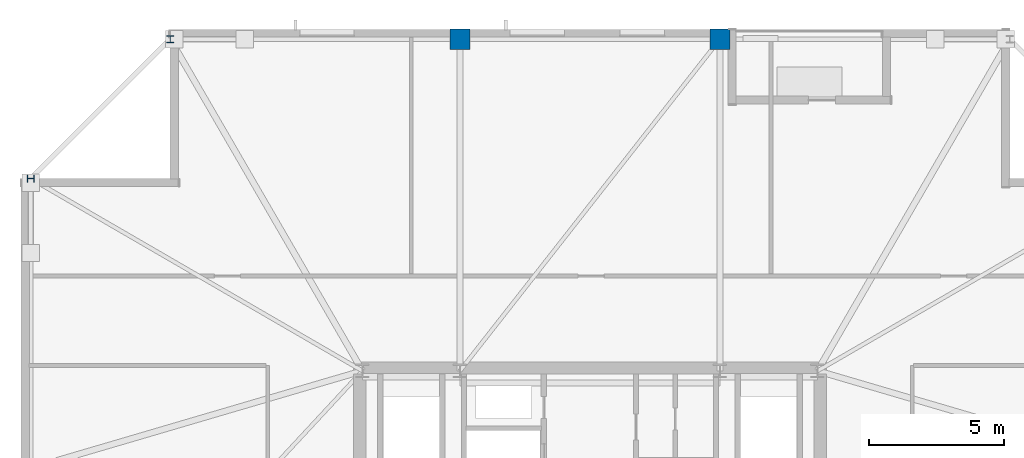
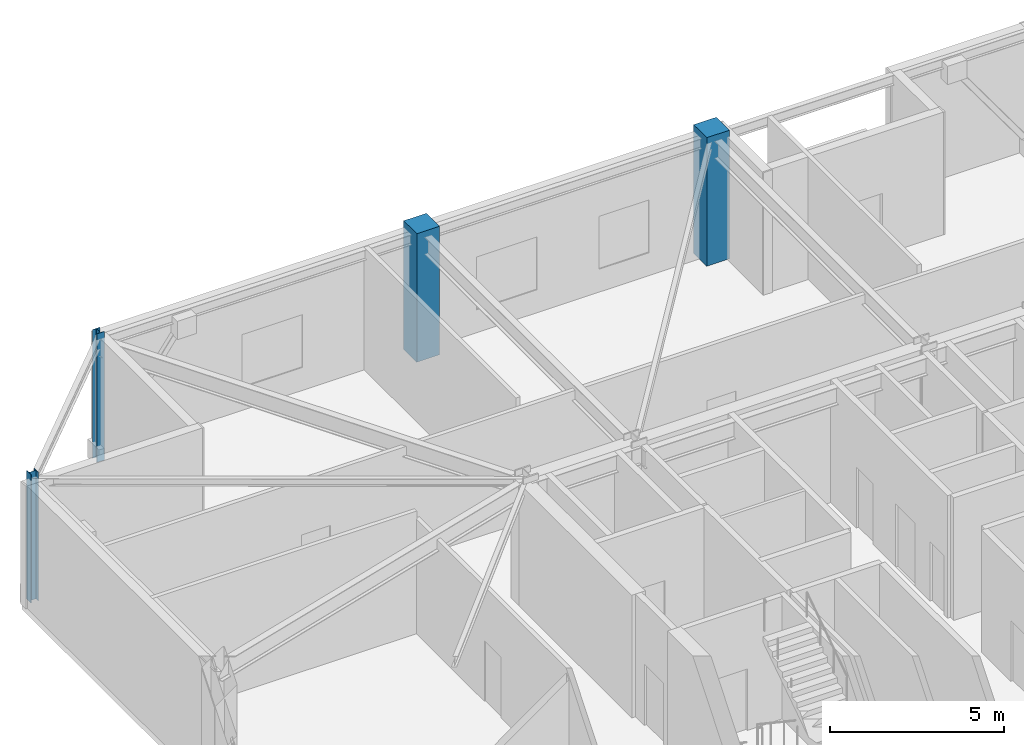
# One storey, part 4 of 16: 4 columns.
"""IFC4 building model written with IfcOpenShell, lengths in metres."""

from ifc_helpers import new_model, si_unit, direction, frame, origin, origin_2d, place, context, subcontext, project, spatial, rectangle, i_section, extrude, material, material_profile, profile_set, type_object, element, save


model = new_model("IFC4")

# Units and contexts
model_context = context("Model", 3, precision=1e-05, world=origin(), true_north=direction((0.0, 1.0)))
body_context = subcontext(model_context, "Body", "Model", "MODEL_VIEW")
ifc_project = project(units=[si_unit("LENGTHUNIT", "METRE"), si_unit("AREAUNIT", "SQUARE_METRE"), si_unit("VOLUMEUNIT", "CUBIC_METRE"), si_unit("PLANEANGLEUNIT", "RADIAN"), si_unit("MASSUNIT", "GRAM", prefix="KILO")], contexts=[model_context])

# Site, building, storey
site_placement = place(None, origin())
site = spatial("IfcSite", under=ifc_project, at=site_placement, CompositionType="ELEMENT")
building_placement = place(site_placement, origin())
building = spatial("IfcBuilding", under=site, at=building_placement, Name="Cairnveth Concourse Tower", CompositionType="ELEMENT")
storey_placement = place(building_placement, frame((0.0, 0.0, 315.5)))
storey = spatial("IfcBuildingStorey", under=building, at=storey_placement, Name="L87", CompositionType="ELEMENT", Elevation=315.5)

# Columns
ifc_material_1 = material(Name="Concrete N50 (50 MPa)", Category="concrete")
ifc_material_profile_1 = material_profile(ifc_material_1, rectangle(XDim=0.75, YDim=0.75, at=origin_2d()), Name="RC-COL-750x750")
ifc_profile_set_1 = profile_set([ifc_material_profile_1], Name="Concrete N50 (50 MPa)")
column_type_1 = type_object("IfcColumnType", Name="PERIMETER PIER COLUMN 750X750", PredefinedType="COLUMN", material=ifc_profile_set_1)
for number, where, z_axis, x_axis, name in (
    (1, (56.800048828125, 59.64990234375, 0.0), (0.0, 0.0, 1.0), (1.0, 0.0, 0.0), "Column P-N2 L87"),
    (2, (47.199951171875, 59.64990234375, 0.0), (0.0, 0.0, 1.0), (1.0, 0.0, 0.0), "Column P-N3 L87"),
):
    element("IfcColumn", number, at=place(storey_placement, frame(where, z_axis=z_axis, x_axis=x_axis)), inside=storey, type_object=column_type_1, Name=name, PredefinedType="COLUMN", context=body_context, shape_type="SweptSolid", body=[
        extrude(rectangle(XDim=0.75, YDim=0.75, at=origin_2d()), origin(), (0.0, 0.0, 1.0), 4.5),
    ])
ifc_material_2 = material(Name="Steel Grade 350", Category="steel")
ifc_material_profile_2 = material_profile(ifc_material_2, i_section(OverallWidth=0.25390625, OverallDepth=0.25390625, WebThickness=0.008544921875, FlangeThickness=0.01416015625, FilletRadius=0.012939453125, at=origin_2d()), Name="250UC72.9")
ifc_profile_set_2 = profile_set([ifc_material_profile_2], Name="Steel Grade 350")
column_type_2 = type_object("IfcColumnType", Name="UNIVERSAL STEEL COLUMN 250UC72.9", PredefinedType="COLUMN", material=ifc_profile_set_2)
for number, where, z_axis, x_axis, name in (
    (3, (36.5, 59.64990234375, 0.0), (0.0, 0.0, 1.0), (1.0, 0.0, 0.0), "Column P-N4 L87"),
    (4, (31.35009765625, 54.5, 0.0), (0.0, 0.0, 1.0), (0.0, 1.0, 0.0), "Column P-W1 L87"),
):
    element("IfcColumn", number, at=place(storey_placement, frame(where, z_axis=z_axis, x_axis=x_axis)), inside=storey, type_object=column_type_2, Name=name, PredefinedType="COLUMN", context=body_context, shape_type="SweptSolid", body=[
        extrude(i_section(OverallWidth=0.25390625, OverallDepth=0.25390625, WebThickness=0.008544921875, FlangeThickness=0.01416015625, FilletRadius=0.012939453125, at=origin_2d()), origin(), (0.0, 0.0, 1.0), 4.5),
    ])

save(model, "model.ifc")
